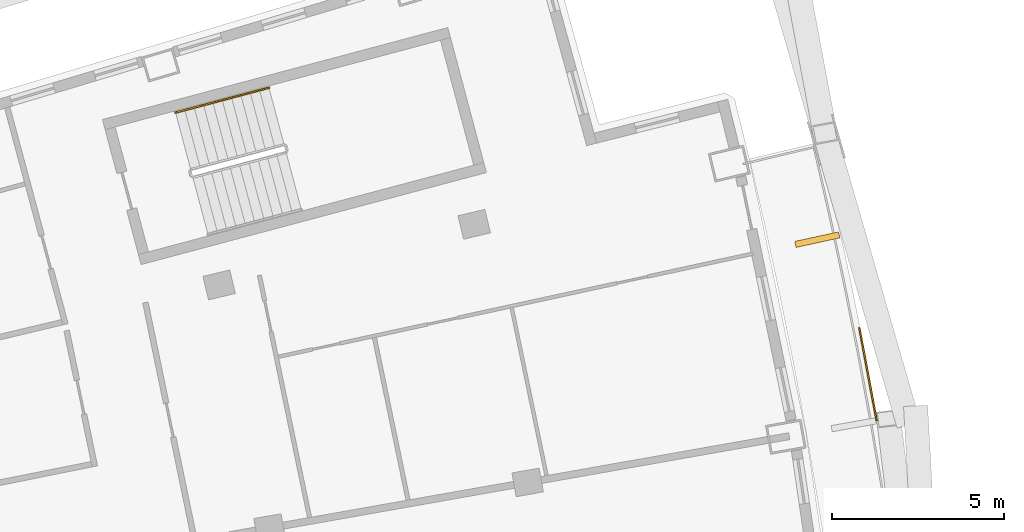
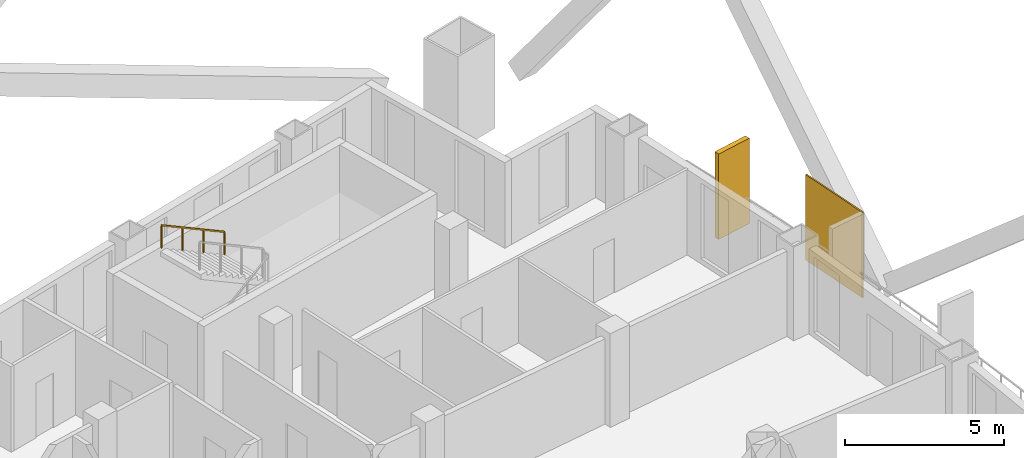
# One storey, part 20 of 20: 2 shading devices, 1 railing.
"""IFC4 building model written with IfcOpenShell, lengths in metres."""

import ifcopenshell
import ifcopenshell.guid

model = None  # the IFC model being written
_history = None  # IfcOwnerHistory: only IFC2X3 demands one
_inside = {}  # id of a spatial element -> (the spatial element, [elements in it])
_under = {}  # id of a project, library or spatial element -> (it, [spatial elements below it])
_declared = {}  # id of a project -> (the project, [libraries it declares])
_typed = {}  # id of a type object -> (the type object, [elements of that type])
_made_of = {}  # id of a material, layer set ... -> (it, [elements and type objects made of it])


def new_model(schema):
    """Start an empty IFC model of exactly this schema.

    Asked for "IFC4X3", IfcOpenShell would pick the latest addendum, in which some entities
    have other attributes; the version numbers below select the first issue.
    IFC2X3 requires an IfcOwnerHistory on every rooted entity: one is made here for all.
    """
    global model, _history
    if schema == "IFC4X3":
        model = ifcopenshell.file(schema_version=(4, 3, 0, 0))
    else:
        model = ifcopenshell.file(schema=schema)
    _inside.clear()
    _under.clear()
    _declared.clear()
    _typed.clear()
    _made_of.clear()
    _history = None
    if model.schema == "IFC2X3":
        org = make("IfcOrganization", Name="unknown")
        user = make(
            "IfcPersonAndOrganization",
            ThePerson=make("IfcPerson", FamilyName="unknown"),
            TheOrganization=org,
        )
        app = make(
            "IfcApplication",
            ApplicationDeveloper=org,
            Version="unknown",
            ApplicationFullName="unknown",
            ApplicationIdentifier="unknown",
        )
        _history = make(
            "IfcOwnerHistory",
            OwningUser=user,
            OwningApplication=app,
            ChangeAction="ADDED",
            CreationDate=0,
        )
    return model


def make(cls, **values):
    """One entity of the class cls with the attributes given. An attribute that is None is left unset."""
    return model.create_entity(
        cls, **{name: value for name, value in values.items() if value is not None}
    )


def rooted(cls, **values):
    """An entity with a GlobalId (a new one), such as an element, a storey or a relation."""
    return make(cls, GlobalId=ifcopenshell.guid.new(), OwnerHistory=_history, **values)


def si_unit(unit_type, name, prefix=None):
    """IfcSIUnit, for example si_unit("LENGTHUNIT", "METRE", prefix="MILLI")."""
    return make("IfcSIUnit", UnitType=unit_type, Prefix=prefix, Name=name)


def assignment(units):
    """IfcUnitAssignment: the units of a project."""
    return None if units is None else make("IfcUnitAssignment", Units=units)


def point(xyz):
    """IfcCartesianPoint."""
    return None if xyz is None else make("IfcCartesianPoint", Coordinates=xyz)


def direction(xyz):
    """IfcDirection."""
    return None if xyz is None else make("IfcDirection", DirectionRatios=xyz)


def frame(location, z_axis=None, x_axis=None):
    """IfcAxis2Placement3D, a coordinate frame: its origin and axes. An axis left out is left unset."""
    return make(
        "IfcAxis2Placement3D",
        Location=point(location),
        Axis=direction(z_axis),
        RefDirection=direction(x_axis),
    )


def frame_2d(location, x_axis=None):
    """IfcAxis2Placement2D, a coordinate frame in the plane: its origin and x axis."""
    return make(
        "IfcAxis2Placement2D", Location=point(location), RefDirection=direction(x_axis)
    )


def origin():
    """The frame at (0, 0, 0) with its axes left unset."""
    return frame((0.0, 0.0, 0.0))


def origin_2d():
    """The frame at (0, 0) in the plane with its x axis left unset."""
    return frame_2d((0.0, 0.0))


def place(relative_to, where):
    """IfcLocalPlacement: puts the frame where relative to a parent placement (None: the world)."""
    return make(
        "IfcLocalPlacement", PlacementRelTo=relative_to, RelativePlacement=where
    )


def context(
    kind, dimensions, precision=None, world=None, true_north=None, identifier=None
):
    """IfcGeometricRepresentationContext, for example the 3D "Model" context."""
    return make(
        "IfcGeometricRepresentationContext",
        ContextIdentifier=identifier,
        ContextType=kind,
        CoordinateSpaceDimension=dimensions,
        Precision=precision,
        WorldCoordinateSystem=world,
        TrueNorth=true_north,
    )


def subcontext(parent, identifier, kind, view, scale=None):
    """IfcGeometricRepresentationSubContext, for example "Body" below "Model"."""
    return make(
        "IfcGeometricRepresentationSubContext",
        ContextIdentifier=identifier,
        ContextType=kind,
        ParentContext=parent,
        TargetScale=scale,
        TargetView=view,
    )


def project(units=None, contexts=None):
    """IfcProject with its units and contexts."""
    return rooted(
        "IfcProject",
        Name="project",
        RepresentationContexts=contexts,
        UnitsInContext=assignment(units),
    )


def spatial(cls, under=None, at=None, **own):
    """A site, building, storey or space (cls), placed at a placement, below another one or the project."""
    s = rooted(cls, ObjectPlacement=at, **own)
    if under is not None:
        _under.setdefault(under.id(), (under, []))[1].append(s)
    return s


def profile(cls, at=None, kind="AREA", **sizes):
    """A parametric profile (cls). Its sizes go by their IFC names, for example OverallWidth=200.0."""
    return make(cls, ProfileType=kind, Position=at, **sizes)


def rectangle(**sizes):
    """IfcRectangleProfileDef."""
    return profile("IfcRectangleProfileDef", **sizes)


def extrude(swept, where, along, depth):
    """IfcExtrudedAreaSolid: the profile swept, set in the frame where, extruded along a direction by depth."""
    return make(
        "IfcExtrudedAreaSolid",
        SweptArea=swept,
        Position=where,
        ExtrudedDirection=direction(along),
        Depth=depth,
    )


def shape(context_of_items, identifier, shape_type, items):
    """IfcShapeRepresentation: the items that make up one representation, for example the "Body"."""
    return make(
        "IfcShapeRepresentation",
        ContextOfItems=context_of_items,
        RepresentationIdentifier=identifier,
        RepresentationType=shape_type,
        Items=items,
    )


def material(Name=None, Category=None):
    """IfcMaterial."""
    return make("IfcMaterial", Name=Name, Category=Category)


def layer(
    of_material, thickness, ventilated=None, Name=None, Category=None, Priority=None
):
    """IfcMaterialLayer: one layer of a wall or slab, of a material (None: an air gap)."""
    return make(
        "IfcMaterialLayer",
        Material=of_material,
        LayerThickness=thickness,
        IsVentilated=ventilated,
        Name=Name,
        Category=Category,
        Priority=Priority,
    )


def layer_set(layers, Name=None):
    """IfcMaterialLayerSet."""
    return make("IfcMaterialLayerSet", MaterialLayers=layers, LayerSetName=Name)


def made_of(thing, what):
    """Note that an element or type object is made of a material, layer set ...; save() writes the relation."""
    if what is not None:
        _made_of.setdefault(what.id(), (what, []))[1].append(thing)
    return thing


def type_object(cls, material=None, **own):
    """A type object (cls), such as IfcWallType, which elements share."""
    return made_of(rooted(cls, **own), material)


def element(
    cls,
    number,
    at=None,
    inside=None,
    cuts=None,
    type_object=None,
    material=None,
    context=None,
    identifier="Body",
    shape_type=None,
    held_by="IfcProductDefinitionShape",
    body=None,
    shapes=None,
    **own,
):
    """One element of the class cls, such as IfcWall. Its Tag is "e" and its number.

    at: its placement. inside: the storey or other place that contains it. cuts: it is an
    opening in that element (IfcRelVoidsElement). A single representation is given by context,
    identifier, shape_type and body (its items); several are given by shapes. held_by: the class
    of the entity that holds the representations. save() writes the other relations.
    """
    e = rooted(cls, Tag="e%d" % number, ObjectPlacement=at, **own)
    if body is not None:
        shapes = [shape(context, identifier, shape_type, body)]
    if shapes is not None:
        e.Representation = make(held_by, Representations=shapes)
    if inside is not None:
        _inside.setdefault(inside.id(), (inside, []))[1].append(e)
    if cuts is not None:
        rooted(
            "IfcRelVoidsElement", RelatingBuildingElement=cuts, RelatedOpeningElement=e
        )
    if type_object is not None:
        _typed.setdefault(type_object.id(), (type_object, []))[1].append(e)
    return made_of(e, material)


def aggregate(whole, parts):
    """IfcRelAggregates: a whole, such as a stair, and the parts it consists of."""
    return rooted("IfcRelAggregates", RelatingObject=whole, RelatedObjects=parts)


def save(model, path):
    """Write the relations noted so far, then the file.

    IfcRelAggregates (storeys below a building ...), IfcRelContainedInSpatialStructure (elements
    in a storey), IfcRelDefinesByType, IfcRelAssociatesMaterial and IfcRelDeclares: one each for
    every whole, place, type object, material and project.
    """
    for whole, parts in _under.values():
        aggregate(whole, parts)
    for where, things in _inside.values():
        rooted(
            "IfcRelContainedInSpatialStructure",
            RelatedElements=things,
            RelatingStructure=where,
        )
    for kind, things in _typed.values():
        rooted("IfcRelDefinesByType", RelatedObjects=things, RelatingType=kind)
    for what, things in _made_of.values():
        rooted("IfcRelAssociatesMaterial", RelatedObjects=things, RelatingMaterial=what)
    for by, libraries in _declared.values():
        rooted("IfcRelDeclares", RelatingContext=by, RelatedDefinitions=libraries)
    model.write(path)


model = new_model("IFC4")

# Units and contexts
model_context = context("Model", 3, precision=1e-05, world=origin(), true_north=direction((0.0, 1.0)))
body_context = subcontext(model_context, "Body", "Model", "MODEL_VIEW")
ifc_project = project(units=[si_unit("LENGTHUNIT", "METRE"), si_unit("AREAUNIT", "SQUARE_METRE"), si_unit("VOLUMEUNIT", "CUBIC_METRE"), si_unit("PLANEANGLEUNIT", "RADIAN"), si_unit("MASSUNIT", "GRAM", prefix="KILO")], contexts=[model_context])

# Site, building, storey
site_placement = place(None, origin())
site = spatial("IfcSite", under=ifc_project, at=site_placement, CompositionType="ELEMENT")
building_placement = place(site_placement, origin())
building = spatial("IfcBuilding", under=site, at=building_placement, Name="Alderwake Tower", CompositionType="ELEMENT")
storey_placement = place(building_placement, frame((0.0, 0.0, 189.199951171875)))
storey = spatial("IfcBuildingStorey", under=building, at=storey_placement, Name="L46", CompositionType="ELEMENT", Elevation=189.199951171875)

# Shading devices
ifc_material_1 = material(Name="Bronze anodised aluminium", Category="aluminium")
ifc_layer_1 = layer(ifc_material_1, 0.179931640625)
ifc_layer_set_1 = layer_set([ifc_layer_1], Name="Facade fin 1300")
shading_device_type_1 = type_object("IfcShadingDeviceType", Name="Facade fin 1300", PredefinedType="USERDEFINED", material=ifc_layer_set_1)
shading_device_1_placement = place(storey_placement, frame((57.395751953125, 90.845458984375, 0.0), z_axis=(0.0, 0.0, 1.0), x_axis=(0.977210363881, 0.212273184185, 0.0)))
element("IfcShadingDevice", 1, at=shading_device_1_placement, inside=storey, type_object=shading_device_type_1, Name="Fin", ObjectType="FIN", PredefinedType="USERDEFINED", context=body_context, shape_type="SweptSolid", body=[
    extrude(rectangle(XDim=1.300048828125, YDim=0.179931640625, at=origin_2d()), origin(), (0.0, 0.0, 1.0), 3.280029296875),
])
ifc_material_2 = material(Name="Perforated bronze anodised aluminium", Category="aluminium")
ifc_layer_2 = layer(ifc_material_2, 0.050048828125)
ifc_layer_set_2 = layer_set([ifc_layer_2], Name="Perforated screen panel")
shading_device_type_2 = type_object("IfcShadingDeviceType", Name="Perforated screen panel", PredefinedType="USERDEFINED", material=ifc_layer_set_2)
shading_device_2_placement = place(storey_placement, frame((58.865478515625, 86.944091796875, 0.0), z_axis=(0.0, 0.0, 1.0), x_axis=(0.982991488043, 0.183651121519, 0.0)))
element("IfcShadingDevice", 2, at=shading_device_2_placement, inside=storey, type_object=shading_device_type_2, Name="Screen panel", ObjectType="SCREEN", PredefinedType="USERDEFINED", context=body_context, shape_type="SweptSolid", body=[
    extrude(rectangle(XDim=0.050048828125, YDim=2.74072265625, at=origin_2d()), origin(), (0.0, 0.0, 1.0), 3.280029296875),
])

# Railing
ifc_material_3 = material(Name="Stainless steel handrail", Category="steel")
railing_type = type_object("IfcRailingType", Name="Stair handrail 900", PredefinedType="HANDRAIL", material=ifc_material_3)
railing_placement = place(storey_placement, frame((41.497802734375, 95.250244140625, 1.963623046875)))
element("IfcRailing", 3, at=railing_placement, inside=storey, type_object=railing_type, Name="L46 ST-A stair handrail 2", PredefinedType="HANDRAIL", context=body_context, shape_type="SweptSolid", body=[
    extrude(rectangle(XDim=0.048095703125, YDim=0.048095703125, at=origin_2d()), frame((0.0, 0.0, 0.8759765625), z_axis=(-0.834258940753, -0.22222815314, 0.504605457487), x_axis=(0.257402139082, -0.966304371715, 0.0)), (0.0, 0.0, 1.0), 3.2431640625),
    extrude(rectangle(XDim=0.0419921875, YDim=0.0419921875, at=origin_2d()), frame((0.0, 0.0, 0.0), z_axis=(0.0, 0.0, 1.0), x_axis=(-0.966304371715, -0.257402139082, 0.0)), (0.0, 0.0, 1.0), 0.851806640625),
    extrude(rectangle(XDim=0.0419921875, YDim=0.0419921875, at=origin_2d()), frame((-0.90185546875, -0.240234375, 0.54541015625), z_axis=(0.0, 0.0, 1.0), x_axis=(-0.966304371715, -0.257402139082, 0.0)), (0.0, 0.0, 1.0), 0.851806640625),
    extrude(rectangle(XDim=0.0419921875, YDim=0.0419921875, at=origin_2d()), frame((-1.8037109375, -0.48046875, 1.091064453125), z_axis=(0.0, 0.0, 1.0), x_axis=(-0.966304371715, -0.257402139082, 0.0)), (0.0, 0.0, 1.0), 0.851806640625),
    extrude(rectangle(XDim=0.0419921875, YDim=0.0419921875, at=origin_2d()), frame((-2.70556640625, -0.720703125, 1.636474609375), z_axis=(0.0, 0.0, 1.0), x_axis=(-0.966304371715, -0.257402139082, 0.0)), (0.0, 0.0, 1.0), 0.851806640625),
])

save(model, "model.ifc")
